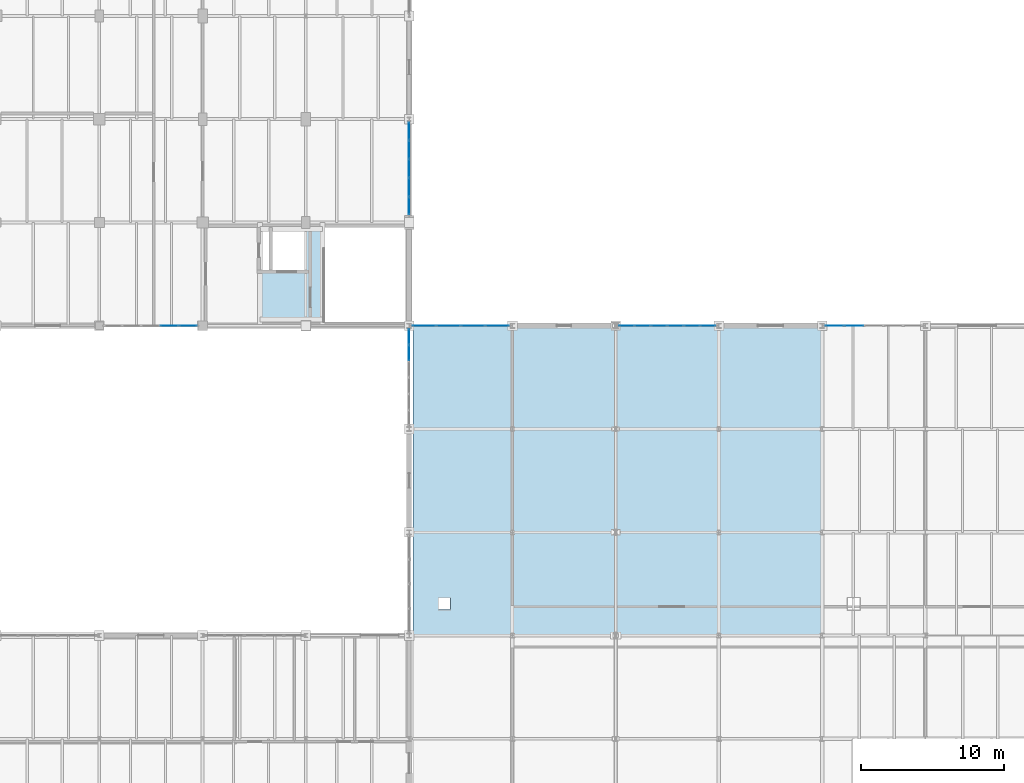
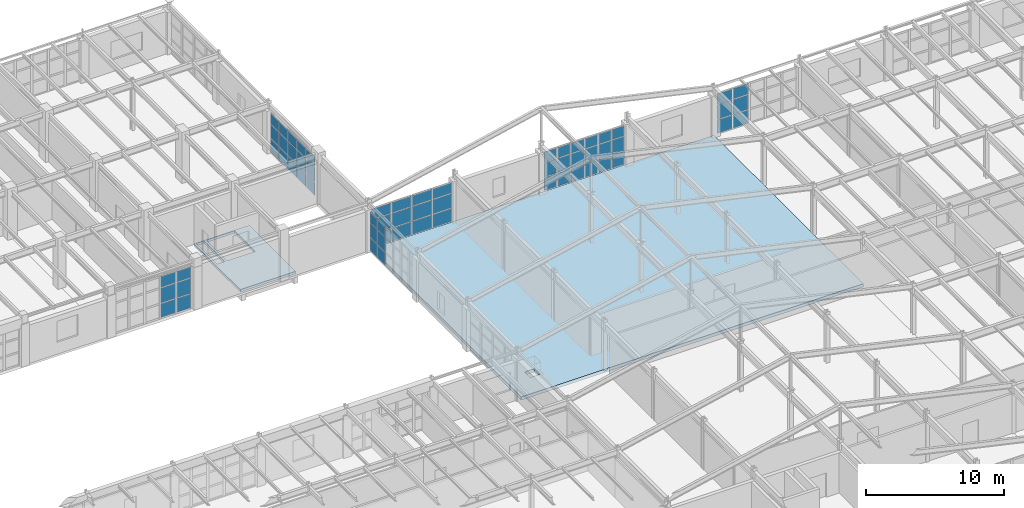
# One storey, part 118 of 137: 63 plates, 2 slabs, 6 elements without a shape of their own.
"""IFC4 building model written with IfcOpenShell, lengths in metres."""

from ifc_helpers import new_model, si_unit, direction, frame, origin, origin_2d, place, context, subcontext, project, spatial, polyline, rectangle, outline, extrude, material, layer, layer_set, type_object, element, aggregate, save


model = new_model("IFC4")

# Units and contexts
model_context = context("Model", 3, precision=1e-05, world=origin(), true_north=direction((0.0, 1.0)))
body_context = subcontext(model_context, "Body", "Model", "MODEL_VIEW")
ifc_project = project(units=[si_unit("LENGTHUNIT", "METRE"), si_unit("AREAUNIT", "SQUARE_METRE"), si_unit("VOLUMEUNIT", "CUBIC_METRE"), si_unit("PLANEANGLEUNIT", "RADIAN"), si_unit("MASSUNIT", "GRAM", prefix="KILO")], contexts=[model_context])

# Site, building, storey
site_placement = place(None, origin())
site = spatial("IfcSite", under=ifc_project, at=site_placement, CompositionType="ELEMENT")
building_placement = place(site_placement, origin())
building = spatial("IfcBuilding", under=site, at=building_placement, Name="Kemerveld Promenade Tramway Depot", CompositionType="ELEMENT")
storey_placement = place(building_placement, frame((0.0, 0.0, 5.39990234375)))
storey = spatial("IfcBuildingStorey", under=building, at=storey_placement, Name="L01", CompositionType="ELEMENT", Elevation=5.39990234375)

# Curtain wall, plates
ifc_material_1 = material(Name="Bronze anodised aluminium and solar glass", Category="aluminium")
ifc_layer_1 = layer(ifc_material_1, 0.199951171875)
ifc_layer_set_1 = layer_set([ifc_layer_1], Name="CW-SYS-04")
curtain_wall_type_1 = type_object("IfcCurtainWallType", Name="CW-SYS-04", PredefinedType="USERDEFINED", material=ifc_layer_set_1)
curtain_wall_1_placement = place(storey_placement, origin())
curtain_wall_1 = element("IfcCurtainWall", 1, at=curtain_wall_1_placement, inside=storey, type_object=curtain_wall_type_1, Name="CW-L01-V2N-01", ObjectType="GLAZED_CURTAIN_WALL", PredefinedType="USERDEFINED")
ifc_material_2 = material(Name="Solar-control laminated double glazing", Category="glass")
ifc_layer_2 = layer(ifc_material_2, 0.031982421875)
ifc_layer_set_2 = layer_set([ifc_layer_2], Name="CW-PNL-04")
plate_type_1 = type_object("IfcPlateType", Name="CW-PNL-04", PredefinedType="CURTAIN_PANEL", material=ifc_layer_set_2)
plate_1_placement = place(storey_placement, frame((159.45166015625, 50.39990234375, 0.06494140625), z_axis=(0.0, 0.0, 1.0), x_axis=(1.0, 0.0, 0.0)))
plate_1 = element("IfcPlate", 2, at=plate_1_placement, type_object=plate_type_1, Name="CW04 panel 1.1", PredefinedType="CURTAIN_PANEL", context=body_context, shape_type="SweptSolid", body=[
    extrude(rectangle(XDim=1.598876953125, YDim=0.031982421875, at=origin_2d()), origin(), (0.0, 0.0, 1.0), 1.138427734375),
])
plate_2_placement = place(storey_placement, frame((159.45166015625, 50.39990234375, 1.2685546875), z_axis=(0.0, 0.0, 1.0), x_axis=(1.0, 0.0, 0.0)))
plate_2 = element("IfcPlate", 3, at=plate_2_placement, type_object=plate_type_1, Name="CW04 panel 1.2", PredefinedType="CURTAIN_PANEL", context=body_context, shape_type="SweptSolid", body=[
    extrude(rectangle(XDim=1.598876953125, YDim=0.031982421875, at=origin_2d()), origin(), (0.0, 0.0, 1.0), 1.241943359375),
])
plate_3_placement = place(storey_placement, frame((159.45166015625, 50.39990234375, 2.57568359375), z_axis=(0.0, 0.0, 1.0), x_axis=(1.0, 0.0, 0.0)))
plate_3 = element("IfcPlate", 4, at=plate_3_placement, type_object=plate_type_1, Name="CW04 panel 1.3", PredefinedType="CURTAIN_PANEL", context=body_context, shape_type="SweptSolid", body=[
    extrude(rectangle(XDim=1.598876953125, YDim=0.031982421875, at=origin_2d()), origin(), (0.0, 0.0, 1.0), 0.89208984375),
])
plate_4_placement = place(storey_placement, frame((161.144287109375, 50.39990234375, 0.06494140625), z_axis=(0.0, 0.0, 1.0), x_axis=(1.0, 0.0, 0.0)))
plate_4 = element("IfcPlate", 5, at=plate_4_placement, type_object=plate_type_1, Name="CW04 panel 2.1", PredefinedType="CURTAIN_PANEL", context=body_context, shape_type="SweptSolid", body=[
    extrude(rectangle(XDim=1.636474609375, YDim=0.031982421875, at=origin_2d()), origin(), (0.0, 0.0, 1.0), 1.138427734375),
])
plate_5_placement = place(storey_placement, frame((161.144287109375, 50.39990234375, 1.2685546875), z_axis=(0.0, 0.0, 1.0), x_axis=(1.0, 0.0, 0.0)))
plate_5 = element("IfcPlate", 6, at=plate_5_placement, type_object=plate_type_1, Name="CW04 panel 2.2", PredefinedType="CURTAIN_PANEL", context=body_context, shape_type="SweptSolid", body=[
    extrude(rectangle(XDim=1.636474609375, YDim=0.031982421875, at=origin_2d()), origin(), (0.0, 0.0, 1.0), 1.241943359375),
])
plate_6_placement = place(storey_placement, frame((161.144287109375, 50.39990234375, 2.57568359375), z_axis=(0.0, 0.0, 1.0), x_axis=(1.0, 0.0, 0.0)))
plate_6 = element("IfcPlate", 7, at=plate_6_placement, type_object=plate_type_1, Name="CW04 panel 2.3", PredefinedType="CURTAIN_PANEL", context=body_context, shape_type="SweptSolid", body=[
    extrude(rectangle(XDim=1.636474609375, YDim=0.031982421875, at=origin_2d()), origin(), (0.0, 0.0, 1.0), 0.89208984375),
])
plate_7_placement = place(storey_placement, frame((162.855712890625, 50.39990234375, 0.06494140625), z_axis=(0.0, 0.0, 1.0), x_axis=(1.0, 0.0, 0.0)))
plate_7 = element("IfcPlate", 8, at=plate_7_placement, type_object=plate_type_1, Name="CW04 panel 3.1", PredefinedType="CURTAIN_PANEL", context=body_context, shape_type="SweptSolid", body=[
    extrude(rectangle(XDim=1.636474609375, YDim=0.031982421875, at=origin_2d()), origin(), (0.0, 0.0, 1.0), 1.138427734375),
])
plate_8_placement = place(storey_placement, frame((162.855712890625, 50.39990234375, 1.2685546875), z_axis=(0.0, 0.0, 1.0), x_axis=(1.0, 0.0, 0.0)))
plate_8 = element("IfcPlate", 9, at=plate_8_placement, type_object=plate_type_1, Name="CW04 panel 3.2", PredefinedType="CURTAIN_PANEL", context=body_context, shape_type="SweptSolid", body=[
    extrude(rectangle(XDim=1.636474609375, YDim=0.031982421875, at=origin_2d()), origin(), (0.0, 0.0, 1.0), 1.241943359375),
])
plate_9_placement = place(storey_placement, frame((162.855712890625, 50.39990234375, 2.57568359375), z_axis=(0.0, 0.0, 1.0), x_axis=(1.0, 0.0, 0.0)))
plate_9 = element("IfcPlate", 10, at=plate_9_placement, type_object=plate_type_1, Name="CW04 panel 3.3", PredefinedType="CURTAIN_PANEL", context=body_context, shape_type="SweptSolid", body=[
    extrude(rectangle(XDim=1.636474609375, YDim=0.031982421875, at=origin_2d()), origin(), (0.0, 0.0, 1.0), 0.89208984375),
])
plate_10_placement = place(storey_placement, frame((164.54833984375, 50.39990234375, 0.06494140625), z_axis=(0.0, 0.0, 1.0), x_axis=(1.0, 0.0, 0.0)))
plate_10 = element("IfcPlate", 11, at=plate_10_placement, type_object=plate_type_1, Name="CW04 panel 4.1", PredefinedType="CURTAIN_PANEL", context=body_context, shape_type="SweptSolid", body=[
    extrude(rectangle(XDim=1.598876953125, YDim=0.031982421875, at=origin_2d()), origin(), (0.0, 0.0, 1.0), 1.138427734375),
])
plate_11_placement = place(storey_placement, frame((164.54833984375, 50.39990234375, 1.2685546875), z_axis=(0.0, 0.0, 1.0), x_axis=(1.0, 0.0, 0.0)))
plate_11 = element("IfcPlate", 12, at=plate_11_placement, type_object=plate_type_1, Name="CW04 panel 4.2", PredefinedType="CURTAIN_PANEL", context=body_context, shape_type="SweptSolid", body=[
    extrude(rectangle(XDim=1.598876953125, YDim=0.031982421875, at=origin_2d()), origin(), (0.0, 0.0, 1.0), 1.241943359375),
])
plate_12_placement = place(storey_placement, frame((164.54833984375, 50.39990234375, 2.57568359375), z_axis=(0.0, 0.0, 1.0), x_axis=(1.0, 0.0, 0.0)))
plate_12 = element("IfcPlate", 13, at=plate_12_placement, type_object=plate_type_1, Name="CW04 panel 4.3", PredefinedType="CURTAIN_PANEL", context=body_context, shape_type="SweptSolid", body=[
    extrude(rectangle(XDim=1.598876953125, YDim=0.031982421875, at=origin_2d()), origin(), (0.0, 0.0, 1.0), 0.89208984375),
])
aggregate(curtain_wall_1, [plate_1, plate_2, plate_3, plate_4, plate_5, plate_6, plate_7, plate_8, plate_9, plate_10, plate_11, plate_12])

ifc_layer_3 = layer(ifc_material_1, 0.199951171875)
ifc_layer_set_3 = layer_set([ifc_layer_3], Name="CW-SYS-06")
curtain_wall_type_2 = type_object("IfcCurtainWallType", Name="CW-SYS-06", PredefinedType="USERDEFINED", material=ifc_layer_set_3)
curtain_wall_2_placement = place(storey_placement, origin())
curtain_wall_2 = element("IfcCurtainWall", 14, at=curtain_wall_2_placement, inside=storey, type_object=curtain_wall_type_2, Name="CW-L01-V3E-03", ObjectType="GLAZED_CURTAIN_WALL", PredefinedType="USERDEFINED")
ifc_layer_4 = layer(ifc_material_2, 0.02587890625)
ifc_layer_set_4 = layer_set([ifc_layer_4], Name="CW-PNL-06")
plate_type_2 = type_object("IfcPlateType", Name="CW-PNL-06", PredefinedType="CURTAIN_PANEL", material=ifc_layer_set_4)
plate_13_placement = place(storey_placement, frame((158.39990234375, 63.96826171875, 0.06494140625), z_axis=(0.0, 0.0, 1.0), x_axis=(0.0, -1.0, 0.0)))
plate_13 = element("IfcPlate", 15, at=plate_13_placement, type_object=plate_type_2, Name="CW06 panel 1.1", PredefinedType="CURTAIN_PANEL", context=body_context, shape_type="SweptSolid", body=[
    extrude(rectangle(XDim=1.19677734375, YDim=0.02587890625, at=origin_2d()), origin(), (0.0, 0.0, 1.0), 1.138427734375),
])
plate_14_placement = place(storey_placement, frame((158.39990234375, 63.96826171875, 1.2685546875), z_axis=(0.0, 0.0, 1.0), x_axis=(0.0, -1.0, 0.0)))
plate_14 = element("IfcPlate", 16, at=plate_14_placement, type_object=plate_type_2, Name="CW06 panel 1.2", PredefinedType="CURTAIN_PANEL", context=body_context, shape_type="SweptSolid", body=[
    extrude(rectangle(XDim=1.19677734375, YDim=0.02587890625, at=origin_2d()), origin(), (0.0, 0.0, 1.0), 1.241943359375),
])
plate_15_placement = place(storey_placement, frame((158.39990234375, 63.96826171875, 2.57568359375), z_axis=(0.0, 0.0, 1.0), x_axis=(0.0, -1.0, 0.0)))
plate_15 = element("IfcPlate", 17, at=plate_15_placement, type_object=plate_type_2, Name="CW06 panel 1.3", PredefinedType="CURTAIN_PANEL", context=body_context, shape_type="SweptSolid", body=[
    extrude(rectangle(XDim=1.19677734375, YDim=0.02587890625, at=origin_2d()), origin(), (0.0, 0.0, 1.0), 0.89208984375),
])
plate_16_placement = place(storey_placement, frame((158.39990234375, 62.677734375, 0.06494140625), z_axis=(0.0, 0.0, 1.0), x_axis=(0.0, -1.0, 0.0)))
plate_16 = element("IfcPlate", 18, at=plate_16_placement, type_object=plate_type_2, Name="CW06 panel 2.1", PredefinedType="CURTAIN_PANEL", context=body_context, shape_type="SweptSolid", body=[
    extrude(rectangle(XDim=1.234375, YDim=0.02587890625, at=origin_2d()), origin(), (0.0, 0.0, 1.0), 1.138427734375),
])
plate_17_placement = place(storey_placement, frame((158.39990234375, 62.677734375, 1.2685546875), z_axis=(0.0, 0.0, 1.0), x_axis=(0.0, -1.0, 0.0)))
plate_17 = element("IfcPlate", 19, at=plate_17_placement, type_object=plate_type_2, Name="CW06 panel 2.2", PredefinedType="CURTAIN_PANEL", context=body_context, shape_type="SweptSolid", body=[
    extrude(rectangle(XDim=1.234375, YDim=0.02587890625, at=origin_2d()), origin(), (0.0, 0.0, 1.0), 1.241943359375),
])
plate_18_placement = place(storey_placement, frame((158.39990234375, 62.677734375, 2.57568359375), z_axis=(0.0, 0.0, 1.0), x_axis=(0.0, -1.0, 0.0)))
plate_18 = element("IfcPlate", 20, at=plate_18_placement, type_object=plate_type_2, Name="CW06 panel 2.3", PredefinedType="CURTAIN_PANEL", context=body_context, shape_type="SweptSolid", body=[
    extrude(rectangle(XDim=1.234375, YDim=0.02587890625, at=origin_2d()), origin(), (0.0, 0.0, 1.0), 0.89208984375),
])
plate_19_placement = place(storey_placement, frame((158.39990234375, 61.368408203125, 0.06494140625), z_axis=(0.0, 0.0, 1.0), x_axis=(0.0, -1.0, 0.0)))
plate_19 = element("IfcPlate", 21, at=plate_19_placement, type_object=plate_type_2, Name="CW06 panel 3.1", PredefinedType="CURTAIN_PANEL", context=body_context, shape_type="SweptSolid", body=[
    extrude(rectangle(XDim=1.234375, YDim=0.02587890625, at=origin_2d()), origin(), (0.0, 0.0, 1.0), 1.138427734375),
])
plate_20_placement = place(storey_placement, frame((158.39990234375, 61.368408203125, 1.2685546875), z_axis=(0.0, 0.0, 1.0), x_axis=(0.0, -1.0, 0.0)))
plate_20 = element("IfcPlate", 22, at=plate_20_placement, type_object=plate_type_2, Name="CW06 panel 3.2", PredefinedType="CURTAIN_PANEL", context=body_context, shape_type="SweptSolid", body=[
    extrude(rectangle(XDim=1.234375, YDim=0.02587890625, at=origin_2d()), origin(), (0.0, 0.0, 1.0), 1.241943359375),
])
plate_21_placement = place(storey_placement, frame((158.39990234375, 61.368408203125, 2.57568359375), z_axis=(0.0, 0.0, 1.0), x_axis=(0.0, -1.0, 0.0)))
plate_21 = element("IfcPlate", 23, at=plate_21_placement, type_object=plate_type_2, Name="CW06 panel 3.3", PredefinedType="CURTAIN_PANEL", context=body_context, shape_type="SweptSolid", body=[
    extrude(rectangle(XDim=1.234375, YDim=0.02587890625, at=origin_2d()), origin(), (0.0, 0.0, 1.0), 0.89208984375),
])
plate_22_placement = place(storey_placement, frame((158.39990234375, 60.05908203125, 0.06494140625), z_axis=(0.0, 0.0, 1.0), x_axis=(0.0, -1.0, 0.0)))
plate_22 = element("IfcPlate", 24, at=plate_22_placement, type_object=plate_type_2, Name="CW06 panel 4.1", PredefinedType="CURTAIN_PANEL", context=body_context, shape_type="SweptSolid", body=[
    extrude(rectangle(XDim=1.234375, YDim=0.02587890625, at=origin_2d()), origin(), (0.0, 0.0, 1.0), 1.138427734375),
])
plate_23_placement = place(storey_placement, frame((158.39990234375, 60.05908203125, 1.2685546875), z_axis=(0.0, 0.0, 1.0), x_axis=(0.0, -1.0, 0.0)))
plate_23 = element("IfcPlate", 25, at=plate_23_placement, type_object=plate_type_2, Name="CW06 panel 4.2", PredefinedType="CURTAIN_PANEL", context=body_context, shape_type="SweptSolid", body=[
    extrude(rectangle(XDim=1.234375, YDim=0.02587890625, at=origin_2d()), origin(), (0.0, 0.0, 1.0), 1.241943359375),
])
plate_24_placement = place(storey_placement, frame((158.39990234375, 60.05908203125, 2.57568359375), z_axis=(0.0, 0.0, 1.0), x_axis=(0.0, -1.0, 0.0)))
plate_24 = element("IfcPlate", 26, at=plate_24_placement, type_object=plate_type_2, Name="CW06 panel 4.3", PredefinedType="CURTAIN_PANEL", context=body_context, shape_type="SweptSolid", body=[
    extrude(rectangle(XDim=1.234375, YDim=0.02587890625, at=origin_2d()), origin(), (0.0, 0.0, 1.0), 0.89208984375),
])
plate_25_placement = place(storey_placement, frame((158.39990234375, 58.768310546875, 0.06494140625), z_axis=(0.0, 0.0, 1.0), x_axis=(0.0, -1.0, 0.0)))
plate_25 = element("IfcPlate", 27, at=plate_25_placement, type_object=plate_type_2, Name="CW06 panel 5.1", PredefinedType="CURTAIN_PANEL", context=body_context, shape_type="SweptSolid", body=[
    extrude(rectangle(XDim=1.19677734375, YDim=0.02587890625, at=origin_2d()), origin(), (0.0, 0.0, 1.0), 1.138427734375),
])
plate_26_placement = place(storey_placement, frame((158.39990234375, 58.768310546875, 1.2685546875), z_axis=(0.0, 0.0, 1.0), x_axis=(0.0, -1.0, 0.0)))
plate_26 = element("IfcPlate", 28, at=plate_26_placement, type_object=plate_type_2, Name="CW06 panel 5.2", PredefinedType="CURTAIN_PANEL", context=body_context, shape_type="SweptSolid", body=[
    extrude(rectangle(XDim=1.19677734375, YDim=0.02587890625, at=origin_2d()), origin(), (0.0, 0.0, 1.0), 1.241943359375),
])
plate_27_placement = place(storey_placement, frame((158.39990234375, 58.768310546875, 2.57568359375), z_axis=(0.0, 0.0, 1.0), x_axis=(0.0, -1.0, 0.0)))
plate_27 = element("IfcPlate", 29, at=plate_27_placement, type_object=plate_type_2, Name="CW06 panel 5.3", PredefinedType="CURTAIN_PANEL", context=body_context, shape_type="SweptSolid", body=[
    extrude(rectangle(XDim=1.19677734375, YDim=0.02587890625, at=origin_2d()), origin(), (0.0, 0.0, 1.0), 0.89208984375),
])
aggregate(curtain_wall_2, [plate_13, plate_14, plate_15, plate_16, plate_17, plate_18, plate_19, plate_20, plate_21, plate_22, plate_23, plate_24, plate_25, plate_26, plate_27])

curtain_wall_3_placement = place(storey_placement, origin())
curtain_wall_3 = element("IfcCurtainWall", 30, at=curtain_wall_3_placement, inside=storey, type_object=curtain_wall_type_2, Name="CW-L01-V3S-03", ObjectType="GLAZED_CURTAIN_WALL", PredefinedType="USERDEFINED")
plate_28_placement = place(storey_placement, frame((142.980224609375, 50.39990234375, 0.06494140625), z_axis=(0.0, 0.0, 1.0), x_axis=(-1.0, 0.0, 0.0)))
plate_28 = element("IfcPlate", 31, at=plate_28_placement, type_object=plate_type_2, Name="CW06 panel 1.1", PredefinedType="CURTAIN_PANEL", context=body_context, shape_type="SweptSolid", body=[
    extrude(rectangle(XDim=1.199462890625, YDim=0.02587890625, at=origin_2d()), origin(), (0.0, 0.0, 1.0), 1.215576171875),
])
plate_29_placement = place(storey_placement, frame((142.980224609375, 50.39990234375, 1.345703125), z_axis=(0.0, 0.0, 1.0), x_axis=(-1.0, 0.0, 0.0)))
plate_29 = element("IfcPlate", 32, at=plate_29_placement, type_object=plate_type_2, Name="CW06 panel 1.2", PredefinedType="CURTAIN_PANEL", context=body_context, shape_type="SweptSolid", body=[
    extrude(rectangle(XDim=1.199462890625, YDim=0.02587890625, at=origin_2d()), origin(), (0.0, 0.0, 1.0), 1.322021484375),
])
plate_30_placement = place(storey_placement, frame((142.980224609375, 50.39990234375, 2.732421875), z_axis=(0.0, 0.0, 1.0), x_axis=(-1.0, 0.0, 0.0)))
plate_30 = element("IfcPlate", 33, at=plate_30_placement, type_object=plate_type_2, Name="CW06 panel 1.3", PredefinedType="CURTAIN_PANEL", context=body_context, shape_type="SweptSolid", body=[
    extrude(rectangle(XDim=1.199462890625, YDim=0.02587890625, at=origin_2d()), origin(), (0.0, 0.0, 1.0), 0.952392578125),
])
plate_31_placement = place(storey_placement, frame((141.68701171875, 50.39990234375, 0.06494140625), z_axis=(0.0, 0.0, 1.0), x_axis=(-1.0, 0.0, 0.0)))
plate_31 = element("IfcPlate", 34, at=plate_31_placement, type_object=plate_type_2, Name="CW06 panel 2.1", PredefinedType="CURTAIN_PANEL", context=body_context, shape_type="SweptSolid", body=[
    extrude(rectangle(XDim=1.237060546875, YDim=0.02587890625, at=origin_2d()), origin(), (0.0, 0.0, 1.0), 1.215576171875),
])
plate_32_placement = place(storey_placement, frame((141.68701171875, 50.39990234375, 1.345703125), z_axis=(0.0, 0.0, 1.0), x_axis=(-1.0, 0.0, 0.0)))
plate_32 = element("IfcPlate", 35, at=plate_32_placement, type_object=plate_type_2, Name="CW06 panel 2.2", PredefinedType="CURTAIN_PANEL", context=body_context, shape_type="SweptSolid", body=[
    extrude(rectangle(XDim=1.237060546875, YDim=0.02587890625, at=origin_2d()), origin(), (0.0, 0.0, 1.0), 1.322021484375),
])
plate_33_placement = place(storey_placement, frame((141.68701171875, 50.39990234375, 2.732421875), z_axis=(0.0, 0.0, 1.0), x_axis=(-1.0, 0.0, 0.0)))
plate_33 = element("IfcPlate", 36, at=plate_33_placement, type_object=plate_type_2, Name="CW06 panel 2.3", PredefinedType="CURTAIN_PANEL", context=body_context, shape_type="SweptSolid", body=[
    extrude(rectangle(XDim=1.237060546875, YDim=0.02587890625, at=origin_2d()), origin(), (0.0, 0.0, 1.0), 0.952392578125),
])
aggregate(curtain_wall_3, [plate_28, plate_29, plate_30, plate_31, plate_32, plate_33])

curtain_wall_4_placement = place(storey_placement, origin())
curtain_wall_4 = element("IfcCurtainWall", 37, at=curtain_wall_4_placement, inside=storey, type_object=curtain_wall_type_2, Name="CW-L01-V2N-03", ObjectType="GLAZED_CURTAIN_WALL", PredefinedType="USERDEFINED")
plate_34_placement = place(storey_placement, frame((173.56640625, 50.39990234375, 0.06494140625), z_axis=(0.0, 0.0, 1.0), x_axis=(1.0, 0.0, 0.0)))
plate_34 = element("IfcPlate", 38, at=plate_34_placement, type_object=plate_type_2, Name="CW06 panel 1.1", PredefinedType="CURTAIN_PANEL", context=body_context, shape_type="SweptSolid", body=[
    extrude(rectangle(XDim=1.0283203125, YDim=0.02587890625, at=origin_2d()), origin(), (0.0, 0.0, 1.0), 1.138427734375),
])
plate_35_placement = place(storey_placement, frame((173.56640625, 50.39990234375, 1.2685546875), z_axis=(0.0, 0.0, 1.0), x_axis=(1.0, 0.0, 0.0)))
plate_35 = element("IfcPlate", 39, at=plate_35_placement, type_object=plate_type_2, Name="CW06 panel 1.2", PredefinedType="CURTAIN_PANEL", context=body_context, shape_type="SweptSolid", body=[
    extrude(rectangle(XDim=1.0283203125, YDim=0.02587890625, at=origin_2d()), origin(), (0.0, 0.0, 1.0), 1.241943359375),
])
plate_36_placement = place(storey_placement, frame((173.56640625, 50.39990234375, 2.57568359375), z_axis=(0.0, 0.0, 1.0), x_axis=(1.0, 0.0, 0.0)))
plate_36 = element("IfcPlate", 40, at=plate_36_placement, type_object=plate_type_2, Name="CW06 panel 1.3", PredefinedType="CURTAIN_PANEL", context=body_context, shape_type="SweptSolid", body=[
    extrude(rectangle(XDim=1.0283203125, YDim=0.02587890625, at=origin_2d()), origin(), (0.0, 0.0, 1.0), 0.89208984375),
])
plate_37_placement = place(storey_placement, frame((174.688720703125, 50.39990234375, 0.06494140625), z_axis=(0.0, 0.0, 1.0), x_axis=(1.0, 0.0, 0.0)))
plate_37 = element("IfcPlate", 41, at=plate_37_placement, type_object=plate_type_2, Name="CW06 panel 2.1", PredefinedType="CURTAIN_PANEL", context=body_context, shape_type="SweptSolid", body=[
    extrude(rectangle(XDim=1.06591796875, YDim=0.02587890625, at=origin_2d()), origin(), (0.0, 0.0, 1.0), 1.138427734375),
])
plate_38_placement = place(storey_placement, frame((174.688720703125, 50.39990234375, 1.2685546875), z_axis=(0.0, 0.0, 1.0), x_axis=(1.0, 0.0, 0.0)))
plate_38 = element("IfcPlate", 42, at=plate_38_placement, type_object=plate_type_2, Name="CW06 panel 2.2", PredefinedType="CURTAIN_PANEL", context=body_context, shape_type="SweptSolid", body=[
    extrude(rectangle(XDim=1.06591796875, YDim=0.02587890625, at=origin_2d()), origin(), (0.0, 0.0, 1.0), 1.241943359375),
])
plate_39_placement = place(storey_placement, frame((174.688720703125, 50.39990234375, 2.57568359375), z_axis=(0.0, 0.0, 1.0), x_axis=(1.0, 0.0, 0.0)))
plate_39 = element("IfcPlate", 43, at=plate_39_placement, type_object=plate_type_2, Name="CW06 panel 2.3", PredefinedType="CURTAIN_PANEL", context=body_context, shape_type="SweptSolid", body=[
    extrude(rectangle(XDim=1.06591796875, YDim=0.02587890625, at=origin_2d()), origin(), (0.0, 0.0, 1.0), 0.89208984375),
])
plate_40_placement = place(storey_placement, frame((175.82958984375, 50.39990234375, 0.06494140625), z_axis=(0.0, 0.0, 1.0), x_axis=(1.0, 0.0, 0.0)))
plate_40 = element("IfcPlate", 44, at=plate_40_placement, type_object=plate_type_2, Name="CW06 panel 3.1", PredefinedType="CURTAIN_PANEL", context=body_context, shape_type="SweptSolid", body=[
    extrude(rectangle(XDim=1.06591796875, YDim=0.02587890625, at=origin_2d()), origin(), (0.0, 0.0, 1.0), 1.138427734375),
])
plate_41_placement = place(storey_placement, frame((175.82958984375, 50.39990234375, 1.2685546875), z_axis=(0.0, 0.0, 1.0), x_axis=(1.0, 0.0, 0.0)))
plate_41 = element("IfcPlate", 45, at=plate_41_placement, type_object=plate_type_2, Name="CW06 panel 3.2", PredefinedType="CURTAIN_PANEL", context=body_context, shape_type="SweptSolid", body=[
    extrude(rectangle(XDim=1.06591796875, YDim=0.02587890625, at=origin_2d()), origin(), (0.0, 0.0, 1.0), 1.241943359375),
])
plate_42_placement = place(storey_placement, frame((175.82958984375, 50.39990234375, 2.57568359375), z_axis=(0.0, 0.0, 1.0), x_axis=(1.0, 0.0, 0.0)))
plate_42 = element("IfcPlate", 46, at=plate_42_placement, type_object=plate_type_2, Name="CW06 panel 3.3", PredefinedType="CURTAIN_PANEL", context=body_context, shape_type="SweptSolid", body=[
    extrude(rectangle(XDim=1.06591796875, YDim=0.02587890625, at=origin_2d()), origin(), (0.0, 0.0, 1.0), 0.89208984375),
])
plate_43_placement = place(storey_placement, frame((176.970458984375, 50.39990234375, 0.06494140625), z_axis=(0.0, 0.0, 1.0), x_axis=(1.0, 0.0, 0.0)))
plate_43 = element("IfcPlate", 47, at=plate_43_placement, type_object=plate_type_2, Name="CW06 panel 4.1", PredefinedType="CURTAIN_PANEL", context=body_context, shape_type="SweptSolid", body=[
    extrude(rectangle(XDim=1.06591796875, YDim=0.02587890625, at=origin_2d()), origin(), (0.0, 0.0, 1.0), 1.138427734375),
])
plate_44_placement = place(storey_placement, frame((176.970458984375, 50.39990234375, 1.2685546875), z_axis=(0.0, 0.0, 1.0), x_axis=(1.0, 0.0, 0.0)))
plate_44 = element("IfcPlate", 48, at=plate_44_placement, type_object=plate_type_2, Name="CW06 panel 4.2", PredefinedType="CURTAIN_PANEL", context=body_context, shape_type="SweptSolid", body=[
    extrude(rectangle(XDim=1.06591796875, YDim=0.02587890625, at=origin_2d()), origin(), (0.0, 0.0, 1.0), 1.241943359375),
])
plate_45_placement = place(storey_placement, frame((176.970458984375, 50.39990234375, 2.57568359375), z_axis=(0.0, 0.0, 1.0), x_axis=(1.0, 0.0, 0.0)))
plate_45 = element("IfcPlate", 49, at=plate_45_placement, type_object=plate_type_2, Name="CW06 panel 4.3", PredefinedType="CURTAIN_PANEL", context=body_context, shape_type="SweptSolid", body=[
    extrude(rectangle(XDim=1.06591796875, YDim=0.02587890625, at=origin_2d()), origin(), (0.0, 0.0, 1.0), 0.89208984375),
])
plate_46_placement = place(storey_placement, frame((178.111328125, 50.39990234375, 0.06494140625), z_axis=(0.0, 0.0, 1.0), x_axis=(1.0, 0.0, 0.0)))
plate_46 = element("IfcPlate", 50, at=plate_46_placement, type_object=plate_type_2, Name="CW06 panel 5.1", PredefinedType="CURTAIN_PANEL", context=body_context, shape_type="SweptSolid", body=[
    extrude(rectangle(XDim=1.06591796875, YDim=0.02587890625, at=origin_2d()), origin(), (0.0, 0.0, 1.0), 1.138427734375),
])
plate_47_placement = place(storey_placement, frame((178.111328125, 50.39990234375, 1.2685546875), z_axis=(0.0, 0.0, 1.0), x_axis=(1.0, 0.0, 0.0)))
plate_47 = element("IfcPlate", 51, at=plate_47_placement, type_object=plate_type_2, Name="CW06 panel 5.2", PredefinedType="CURTAIN_PANEL", context=body_context, shape_type="SweptSolid", body=[
    extrude(rectangle(XDim=1.06591796875, YDim=0.02587890625, at=origin_2d()), origin(), (0.0, 0.0, 1.0), 1.241943359375),
])
plate_48_placement = place(storey_placement, frame((178.111328125, 50.39990234375, 2.57568359375), z_axis=(0.0, 0.0, 1.0), x_axis=(1.0, 0.0, 0.0)))
plate_48 = element("IfcPlate", 52, at=plate_48_placement, type_object=plate_type_2, Name="CW06 panel 5.3", PredefinedType="CURTAIN_PANEL", context=body_context, shape_type="SweptSolid", body=[
    extrude(rectangle(XDim=1.06591796875, YDim=0.02587890625, at=origin_2d()), origin(), (0.0, 0.0, 1.0), 0.89208984375),
])
plate_49_placement = place(storey_placement, frame((179.233642578125, 50.39990234375, 0.06494140625), z_axis=(0.0, 0.0, 1.0), x_axis=(1.0, 0.0, 0.0)))
plate_49 = element("IfcPlate", 53, at=plate_49_placement, type_object=plate_type_2, Name="CW06 panel 6.1", PredefinedType="CURTAIN_PANEL", context=body_context, shape_type="SweptSolid", body=[
    extrude(rectangle(XDim=1.0283203125, YDim=0.02587890625, at=origin_2d()), origin(), (0.0, 0.0, 1.0), 1.138427734375),
])
plate_50_placement = place(storey_placement, frame((179.233642578125, 50.39990234375, 1.2685546875), z_axis=(0.0, 0.0, 1.0), x_axis=(1.0, 0.0, 0.0)))
plate_50 = element("IfcPlate", 54, at=plate_50_placement, type_object=plate_type_2, Name="CW06 panel 6.2", PredefinedType="CURTAIN_PANEL", context=body_context, shape_type="SweptSolid", body=[
    extrude(rectangle(XDim=1.0283203125, YDim=0.02587890625, at=origin_2d()), origin(), (0.0, 0.0, 1.0), 1.241943359375),
])
plate_51_placement = place(storey_placement, frame((179.233642578125, 50.39990234375, 2.57568359375), z_axis=(0.0, 0.0, 1.0), x_axis=(1.0, 0.0, 0.0)))
plate_51 = element("IfcPlate", 55, at=plate_51_placement, type_object=plate_type_2, Name="CW06 panel 6.3", PredefinedType="CURTAIN_PANEL", context=body_context, shape_type="SweptSolid", body=[
    extrude(rectangle(XDim=1.0283203125, YDim=0.02587890625, at=origin_2d()), origin(), (0.0, 0.0, 1.0), 0.89208984375),
])
aggregate(curtain_wall_4, [plate_34, plate_35, plate_36, plate_37, plate_38, plate_39, plate_40, plate_41, plate_42, plate_43, plate_44, plate_45, plate_46, plate_47, plate_48, plate_49, plate_50, plate_51])

curtain_wall_5_placement = place(storey_placement, origin())
curtain_wall_5 = element("IfcCurtainWall", 56, at=curtain_wall_5_placement, inside=storey, type_object=curtain_wall_type_2, Name="CW-L01-V2W-03", ObjectType="GLAZED_CURTAIN_WALL", PredefinedType="USERDEFINED")
plate_52_placement = place(storey_placement, frame((158.39990234375, 48.51123046875, 0.06494140625), z_axis=(0.0, 0.0, 1.0), x_axis=(0.0, 1.0, 0.0)))
plate_52 = element("IfcPlate", 57, at=plate_52_placement, type_object=plate_type_2, Name="CW06 panel 5.1", PredefinedType="CURTAIN_PANEL", context=body_context, shape_type="SweptSolid", body=[
    extrude(rectangle(XDim=1.06591796875, YDim=0.02587890625, at=origin_2d()), origin(), (0.0, 0.0, 1.0), 1.138427734375),
])
plate_53_placement = place(storey_placement, frame((158.39990234375, 48.51123046875, 1.2685546875), z_axis=(0.0, 0.0, 1.0), x_axis=(0.0, 1.0, 0.0)))
plate_53 = element("IfcPlate", 58, at=plate_53_placement, type_object=plate_type_2, Name="CW06 panel 5.2", PredefinedType="CURTAIN_PANEL", context=body_context, shape_type="SweptSolid", body=[
    extrude(rectangle(XDim=1.06591796875, YDim=0.02587890625, at=origin_2d()), origin(), (0.0, 0.0, 1.0), 1.241943359375),
])
plate_54_placement = place(storey_placement, frame((158.39990234375, 48.51123046875, 2.57568359375), z_axis=(0.0, 0.0, 1.0), x_axis=(0.0, 1.0, 0.0)))
plate_54 = element("IfcPlate", 59, at=plate_54_placement, type_object=plate_type_2, Name="CW06 panel 5.3", PredefinedType="CURTAIN_PANEL", context=body_context, shape_type="SweptSolid", body=[
    extrude(rectangle(XDim=1.06591796875, YDim=0.02587890625, at=origin_2d()), origin(), (0.0, 0.0, 1.0), 0.89208984375),
])
plate_55_placement = place(storey_placement, frame((158.39990234375, 49.633544921875, 0.06494140625), z_axis=(0.0, 0.0, 1.0), x_axis=(0.0, 1.0, 0.0)))
plate_55 = element("IfcPlate", 60, at=plate_55_placement, type_object=plate_type_2, Name="CW06 panel 6.1", PredefinedType="CURTAIN_PANEL", context=body_context, shape_type="SweptSolid", body=[
    extrude(rectangle(XDim=1.0283203125, YDim=0.02587890625, at=origin_2d()), origin(), (0.0, 0.0, 1.0), 1.138427734375),
])
plate_56_placement = place(storey_placement, frame((158.39990234375, 49.633544921875, 1.2685546875), z_axis=(0.0, 0.0, 1.0), x_axis=(0.0, 1.0, 0.0)))
plate_56 = element("IfcPlate", 61, at=plate_56_placement, type_object=plate_type_2, Name="CW06 panel 6.2", PredefinedType="CURTAIN_PANEL", context=body_context, shape_type="SweptSolid", body=[
    extrude(rectangle(XDim=1.0283203125, YDim=0.02587890625, at=origin_2d()), origin(), (0.0, 0.0, 1.0), 1.241943359375),
])
plate_57_placement = place(storey_placement, frame((158.39990234375, 49.633544921875, 2.57568359375), z_axis=(0.0, 0.0, 1.0), x_axis=(0.0, 1.0, 0.0)))
plate_57 = element("IfcPlate", 62, at=plate_57_placement, type_object=plate_type_2, Name="CW06 panel 6.3", PredefinedType="CURTAIN_PANEL", context=body_context, shape_type="SweptSolid", body=[
    extrude(rectangle(XDim=1.0283203125, YDim=0.02587890625, at=origin_2d()), origin(), (0.0, 0.0, 1.0), 0.89208984375),
])
aggregate(curtain_wall_5, [plate_52, plate_53, plate_54, plate_55, plate_56, plate_57])

ifc_layer_5 = layer(ifc_material_1, 0.199951171875)
ifc_layer_set_5 = layer_set([ifc_layer_5], Name="CW-SYS-08")
curtain_wall_type_3 = type_object("IfcCurtainWallType", Name="CW-SYS-08", PredefinedType="USERDEFINED", material=ifc_layer_set_5)
curtain_wall_6_placement = place(storey_placement, origin())
curtain_wall_6 = element("IfcCurtainWall", 63, at=curtain_wall_6_placement, inside=storey, type_object=curtain_wall_type_3, Name="CW-L01-V2N-05", ObjectType="GLAZED_CURTAIN_WALL", PredefinedType="USERDEFINED")
ifc_layer_6 = layer(ifc_material_2, 0.028076171875)
ifc_layer_set_6 = layer_set([ifc_layer_6], Name="CW-PNL-08")
plate_type_3 = type_object("IfcPlateType", Name="CW-PNL-08", PredefinedType="CURTAIN_PANEL", material=ifc_layer_set_6)
plate_58_placement = place(storey_placement, frame((188.08056640625, 50.39990234375, 0.065185546875), z_axis=(0.0, 0.0, 1.0), x_axis=(1.0, 0.0, 0.0)))
plate_58 = element("IfcPlate", 64, at=plate_58_placement, type_object=plate_type_3, Name="CW08 panel 1.1", PredefinedType="CURTAIN_PANEL", context=body_context, shape_type="SweptSolid", body=[
    extrude(rectangle(XDim=1.256591796875, YDim=0.028076171875, at=origin_2d()), origin(), (0.0, 0.0, 1.0), 1.16650390625),
])
plate_59_placement = place(storey_placement, frame((188.08056640625, 50.39990234375, 1.296630859375), z_axis=(0.0, 0.0, 1.0), x_axis=(1.0, 0.0, 0.0)))
plate_59 = element("IfcPlate", 65, at=plate_59_placement, type_object=plate_type_3, Name="CW08 panel 1.2", PredefinedType="CURTAIN_PANEL", context=body_context, shape_type="SweptSolid", body=[
    extrude(rectangle(XDim=1.256591796875, YDim=0.028076171875, at=origin_2d()), origin(), (0.0, 0.0, 1.0), 1.27197265625),
])
plate_60_placement = place(storey_placement, frame((188.08056640625, 50.39990234375, 2.633544921875), z_axis=(0.0, 0.0, 1.0), x_axis=(1.0, 0.0, 0.0)))
plate_60 = element("IfcPlate", 66, at=plate_60_placement, type_object=plate_type_3, Name="CW08 panel 1.3", PredefinedType="CURTAIN_PANEL", context=body_context, shape_type="SweptSolid", body=[
    extrude(rectangle(XDim=1.256591796875, YDim=0.028076171875, at=origin_2d()), origin(), (0.0, 0.0, 1.0), 0.9140625),
])
plate_61_placement = place(storey_placement, frame((189.430908203125, 50.39990234375, 0.065185546875), z_axis=(0.0, 0.0, 1.0), x_axis=(1.0, 0.0, 0.0)))
plate_61 = element("IfcPlate", 67, at=plate_61_placement, type_object=plate_type_3, Name="CW08 panel 2.1", PredefinedType="CURTAIN_PANEL", context=body_context, shape_type="SweptSolid", body=[
    extrude(rectangle(XDim=1.294189453125, YDim=0.028076171875, at=origin_2d()), origin(), (0.0, 0.0, 1.0), 1.16650390625),
])
plate_62_placement = place(storey_placement, frame((189.430908203125, 50.39990234375, 1.296630859375), z_axis=(0.0, 0.0, 1.0), x_axis=(1.0, 0.0, 0.0)))
plate_62 = element("IfcPlate", 68, at=plate_62_placement, type_object=plate_type_3, Name="CW08 panel 2.2", PredefinedType="CURTAIN_PANEL", context=body_context, shape_type="SweptSolid", body=[
    extrude(rectangle(XDim=1.294189453125, YDim=0.028076171875, at=origin_2d()), origin(), (0.0, 0.0, 1.0), 1.27197265625),
])
plate_63_placement = place(storey_placement, frame((189.430908203125, 50.39990234375, 2.633544921875), z_axis=(0.0, 0.0, 1.0), x_axis=(1.0, 0.0, 0.0)))
plate_63 = element("IfcPlate", 69, at=plate_63_placement, type_object=plate_type_3, Name="CW08 panel 2.3", PredefinedType="CURTAIN_PANEL", context=body_context, shape_type="SweptSolid", body=[
    extrude(rectangle(XDim=1.294189453125, YDim=0.028076171875, at=origin_2d()), origin(), (0.0, 0.0, 1.0), 0.9140625),
])
aggregate(curtain_wall_6, [plate_58, plate_59, plate_60, plate_61, plate_62, plate_63])

# Slabs
ifc_material_3 = material(Name="Concrete C40/50", Category="concrete")
ifc_layer_7 = layer(ifc_material_3, 0.219970703125)
ifc_layer_set_7 = layer_set([ifc_layer_7], Name="SL-CORE-220")
slab_type_1 = type_object("IfcSlabType", Name="SL-CORE-220", PredefinedType="FLOOR", material=ifc_layer_set_7)
slab_1_placement = place(storey_placement, frame((0.0, 0.0, -0.219970703125)))
element("IfcSlab", 70, at=slab_1_placement, inside=storey, type_object=slab_type_1, Name="SLB-CORE-C6-L01", PredefinedType="FLOOR", context=body_context, shape_type="SweptSolid", body=[
    extrude(outline(polyline([(147.85009765625, 50.64990234375), (152.47998046875, 50.64990234375), (152.47998046875, 57.35009765625), (147.85009765625, 57.35009765625), (147.85009765625, 50.64990234375)]), holes=[polyline([(148.85009765625, 54.280029296875), (151.199951171875, 54.280029296875), (151.199951171875, 57.280029296875), (148.85009765625, 57.280029296875), (148.85009765625, 54.280029296875)]), polyline([(148.02001953125, 54.280029296875), (148.64990234375, 54.280029296875), (148.64990234375, 57.280029296875), (148.02001953125, 57.280029296875), (148.02001953125, 54.280029296875)])]), origin(), (0.0, 0.0, 1.0), 0.219970703125),
])
ifc_material_4 = material(Name="Concrete C35/45", Category="concrete")
ifc_layer_8 = layer(ifc_material_4, 0.280029296875)
ifc_layer_set_8 = layer_set([ifc_layer_8], Name="SL-FL01")
slab_type_2 = type_object("IfcSlabType", Name="SL-FL01", PredefinedType="FLOOR", material=ifc_layer_set_8)
slab_2_placement = place(storey_placement, frame((0.0, 0.0, -0.27978515625)))
element("IfcSlab", 71, at=slab_2_placement, inside=storey, type_object=slab_type_2, Name="SLB-L01-V2C", PredefinedType="FLOOR", context=body_context, shape_type="SweptSolid", body=[
    extrude(outline(polyline([(158.659912109375, 28.800048828125), (187.199951171875, 28.800048828125), (187.199951171875, 50.39990234375), (158.659912109375, 50.39990234375), (158.659912109375, 28.800048828125)]), holes=[polyline([(160.4599609375, 30.60009765625), (161.260009765625, 30.60009765625), (161.260009765625, 31.39990234375), (160.4599609375, 31.39990234375), (160.4599609375, 30.60009765625)])]), origin(), (0.0, 0.0, 1.0), 0.27978515625),
])

save(model, "model.ifc")
